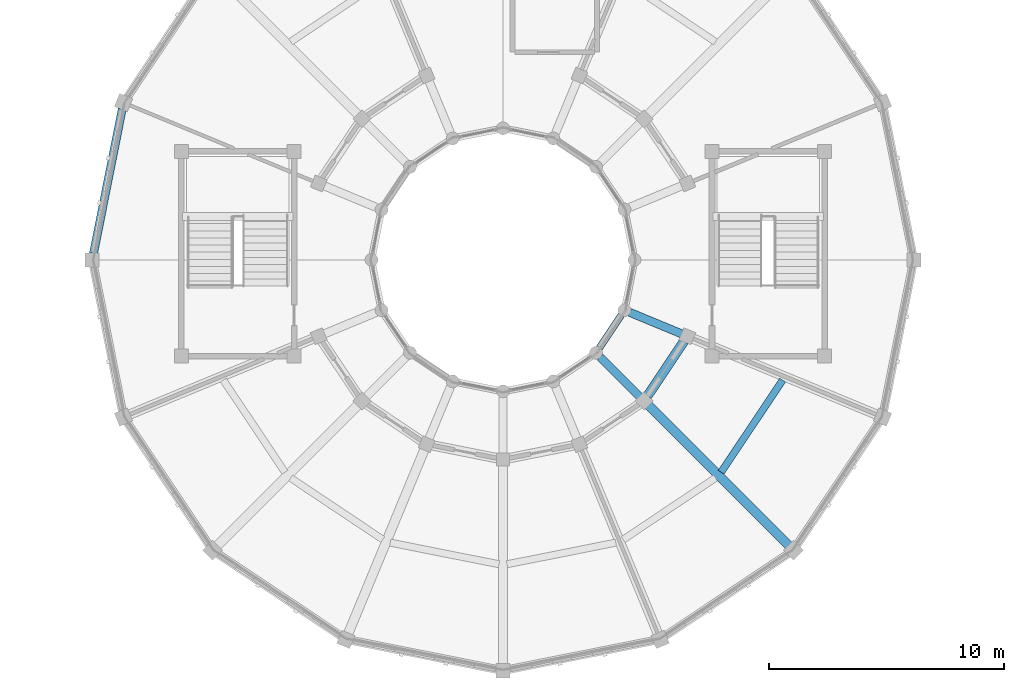
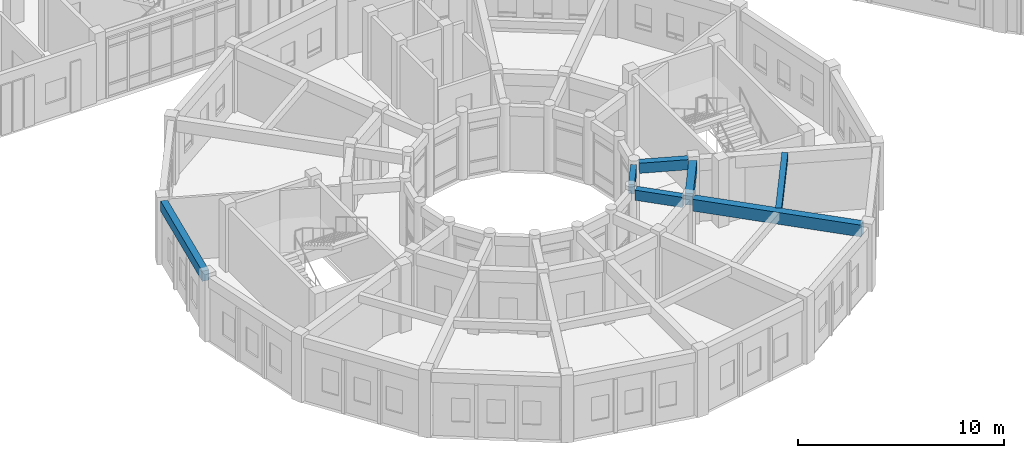
# One storey, part 12 of 159: 7 beams.
"""IFC4 building model written with IfcOpenShell, lengths in metres."""

from ifc_helpers import new_model, si_unit, direction, frame, origin, origin_2d, place, context, subcontext, project, spatial, rectangle, extrude, material, material_profile, profile_set, type_object, element, save


model = new_model("IFC4")

# Units and contexts
model_context = context("Model", 3, precision=1e-05, world=origin(), true_north=direction((0.0, 1.0)))
body_context = subcontext(model_context, "Body", "Model", "MODEL_VIEW")
ifc_project = project(units=[si_unit("LENGTHUNIT", "METRE"), si_unit("AREAUNIT", "SQUARE_METRE"), si_unit("VOLUMEUNIT", "CUBIC_METRE"), si_unit("PLANEANGLEUNIT", "RADIAN"), si_unit("MASSUNIT", "GRAM", prefix="KILO")], contexts=[model_context])

# Site, building, storey
site_placement = place(None, origin())
site = spatial("IfcSite", under=ifc_project, at=site_placement, CompositionType="ELEMENT")
building_placement = place(site_placement, origin())
building = spatial("IfcBuilding", under=site, at=building_placement, Name="Celadon Cloister-Ring School", CompositionType="ELEMENT")
storey_placement = place(building_placement, frame((0.0, 0.0, 4.5)))
storey = spatial("IfcBuildingStorey", under=building, at=storey_placement, Name="L01", CompositionType="ELEMENT", Elevation=4.5)

# Beams
ifc_material_1 = material(Name="Concrete C35/45", Category="concrete")
ifc_material_profile_1 = material_profile(ifc_material_1, rectangle(XDim=0.35009765625, YDim=0.60009765625, at=origin_2d()), Name="RC350X600")
ifc_profile_set_1 = profile_set([ifc_material_profile_1], Name="Concrete C35/45")
beam_type_1 = type_object("IfcBeamType", Name="BT-02", PredefinedType="BEAM", material=ifc_profile_set_1)
beam_1_placement = place(storey_placement, frame((26.032958984375, 14.1669921875, 3.47998046875), z_axis=(-0.707106781187, 0.707106781187, 0.0), x_axis=(-0.707106781187, -0.707106781187, 0.0)))
element("IfcBeam", 1, at=beam_1_placement, inside=storey, type_object=beam_type_1, Name="Beam 0945", PredefinedType="BEAM", context=body_context, shape_type="SweptSolid", body=[
    extrude(rectangle(XDim=0.35009765625, YDim=0.60009765625, at=origin_2d()), origin(), (0.0, 0.0, 1.0), 2.398681640625),
])
beam_2_placement = place(storey_placement, frame((27.822021484375, 16.843017578125, 3.47998046875), z_axis=(-0.923932522988, 0.382555476978, 0.0), x_axis=(-0.382555476978, -0.923932522988, 0.0)))
element("IfcBeam", 2, at=beam_2_placement, inside=storey, type_object=beam_type_1, Name="Beam 0947", PredefinedType="BEAM", context=body_context, shape_type="SweptSolid", body=[
    extrude(rectangle(XDim=0.35009765625, YDim=0.60009765625, at=origin_2d()), origin(), (0.0, 0.0, 1.0), 2.399658203125),
])
ifc_material_2 = material(Name="Concrete C35/45", Category="concrete")
ifc_material_profile_2 = material_profile(ifc_material_2, rectangle(XDim=0.39990234375, YDim=0.699951171875, at=origin_2d()), Name="RC400X700")
ifc_profile_set_2 = profile_set([ifc_material_profile_2], Name="Concrete C35/45")
beam_type_2 = type_object("IfcBeamType", Name="GT-03", PredefinedType="USERDEFINED", material=ifc_profile_set_2)
beam_3_placement = place(storey_placement, frame((32.3798828125, 7.820068359375, 3.429931640625), z_axis=(-0.707106781187, 0.707106781187, 0.0), x_axis=(-0.707106781187, -0.707106781187, 0.0)))
element("IfcBeam", 3, at=beam_3_placement, inside=storey, type_object=beam_type_2, Name="Beam 0944", ObjectType="GIRDER", PredefinedType="USERDEFINED", context=body_context, shape_type="SweptSolid", body=[
    extrude(rectangle(XDim=0.39990234375, YDim=0.699951171875, at=origin_2d()), origin(), (0.0, 0.0, 1.0), 8.475341796875),
])
beam_4_placement = place(storey_placement, frame((26.34912109375, 14.197998046875, 3.429931640625), z_axis=(0.555740149771, 0.831356052442, 0.0), x_axis=(-0.831356052442, 0.555740149771, 0.0)))
element("IfcBeam", 4, at=beam_4_placement, inside=storey, type_object=beam_type_2, Name="Beam 0993", ObjectType="GIRDER", PredefinedType="USERDEFINED", context=body_context, shape_type="SweptSolid", body=[
    extrude(rectangle(XDim=0.39990234375, YDim=0.699951171875, at=origin_2d()), origin(), (0.0, 0.0, 1.0), 2.81591796875),
])
ifc_material_3 = material(Name="Concrete C35/45", Category="concrete")
ifc_material_profile_3 = material_profile(ifc_material_3, rectangle(XDim=0.300048828125, YDim=0.449951171875, at=origin_2d()), Name="RC300X450")
ifc_profile_set_3 = profile_set([ifc_material_profile_3], Name="Concrete C35/45")
beam_type_3 = type_object("IfcBeamType", Name="JT-01", PredefinedType="JOIST", material=ifc_profile_set_3)
beam_5_placement = place(storey_placement, frame((29.489013671875, 10.9541015625, 3.554931640625), z_axis=(0.555797592992, 0.831317650254, 0.0), x_axis=(-0.831317650254, 0.555797592992, 0.0)))
element("IfcBeam", 5, at=beam_5_placement, inside=storey, type_object=beam_type_3, Name="Beam 0995", PredefinedType="JOIST", context=body_context, shape_type="SweptSolid", body=[
    extrude(rectangle(XDim=0.300048828125, YDim=0.449951171875, at=origin_2d()), origin(), (0.0, 0.0, 1.0), 4.72119140625),
])
ifc_material_4 = material(Name="Concrete C35/45", Category="concrete")
ifc_material_profile_4 = material_profile(ifc_material_4, rectangle(XDim=0.35009765625, YDim=0.60009765625, at=origin_2d()), Name="RC350X600")
ifc_profile_set_4 = profile_set([ifc_material_profile_4], Name="Concrete C35/45")
beam_type_4 = type_object("IfcBeamType", Name="SP-01", PredefinedType="SPANDREL", material=ifc_profile_set_4)
beam_6_placement = place(storey_placement, frame((3.97802734375, 26.427001953125, 3.47998046875), z_axis=(-0.195001619501, -0.980802920261, 0.0), x_axis=(0.980802920261, -0.195001619501, 0.0)))
element("IfcBeam", 6, at=beam_6_placement, inside=storey, type_object=beam_type_4, Name="Beam 0968", PredefinedType="SPANDREL", context=body_context, shape_type="SweptSolid", body=[
    extrude(rectangle(XDim=0.35009765625, YDim=0.60009765625, at=origin_2d()), origin(), (0.0, 0.0, 1.0), 6.277587890625),
])
ifc_material_5 = material(Name="Concrete C35/45", Category="concrete")
ifc_material_profile_5 = material_profile(ifc_material_5, rectangle(XDim=0.300048828125, YDim=0.550048828125, at=origin_2d()), Name="RC300X550")
ifc_profile_set_5 = profile_set([ifc_material_profile_5], Name="Concrete C35/45")
beam_type_5 = type_object("IfcBeamType", Name="SP-02", PredefinedType="SPANDREL", material=ifc_profile_set_5)
beam_7_placement = place(storey_placement, frame((24.299072265625, 16.248046875, 3.5048828125), z_axis=(0.555569328961, 0.831470216374, 0.0), x_axis=(-0.831470216374, 0.555569328961, 0.0)))
element("IfcBeam", 7, at=beam_7_placement, inside=storey, type_object=beam_type_5, Name="Beam 0994", PredefinedType="SPANDREL", context=body_context, shape_type="SweptSolid", body=[
    extrude(rectangle(XDim=0.300048828125, YDim=0.550048828125, at=origin_2d()), origin(), (0.0, 0.0, 1.0), 1.684814453125),
])

save(model, "model.ifc")
